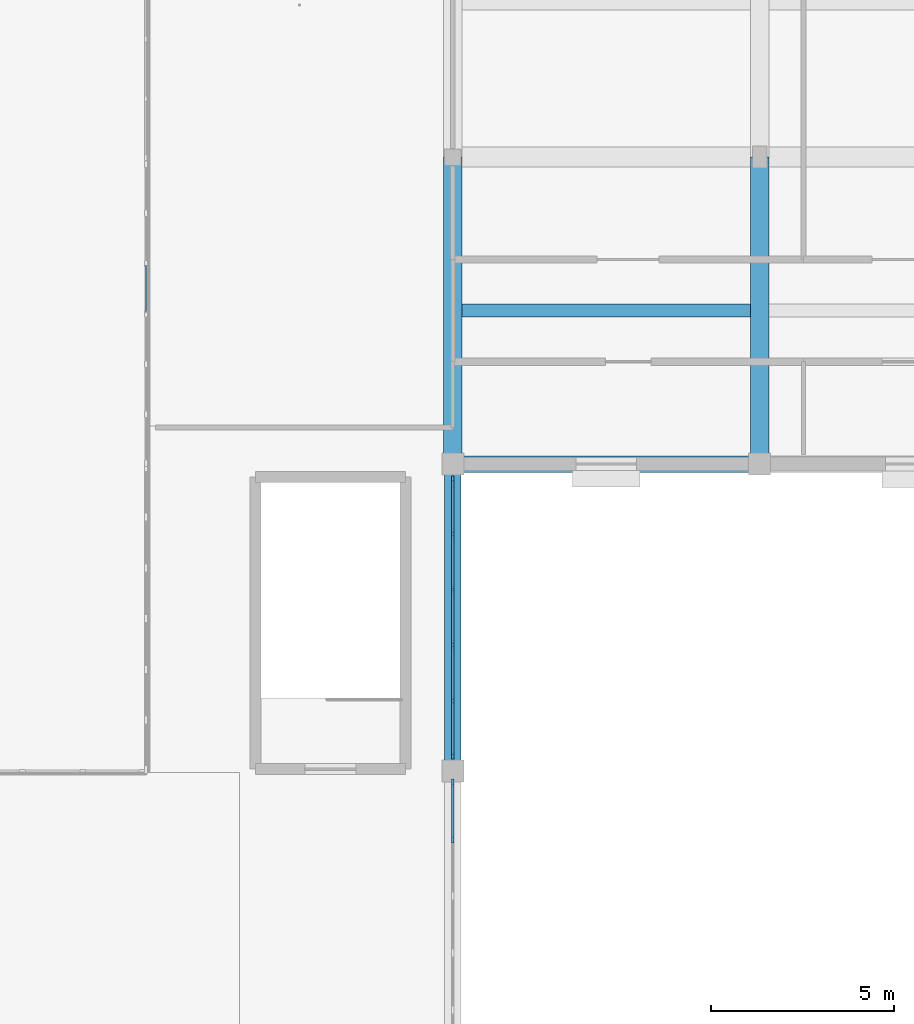
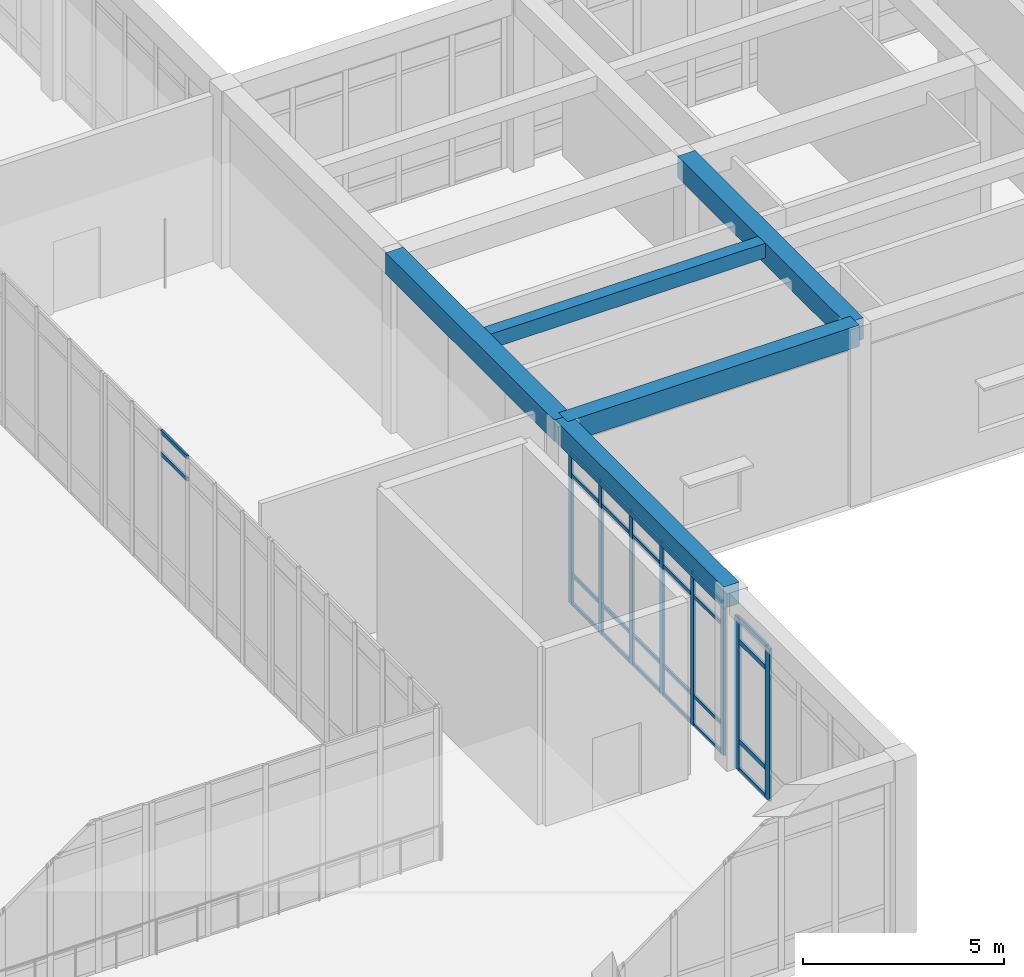
# One storey, part 22 of 157: 34 members, 5 beams, 3 elements without a shape of their own.
"""IFC4 building model written with IfcOpenShell, lengths in metres."""

from ifc_helpers import new_model, si_unit, direction, frame, origin, origin_2d, place, context, subcontext, project, spatial, rectangle, extrude, material, material_profile, profile_set, type_object, element, aggregate, save


model = new_model("IFC4")

# Units and contexts
model_context = context("Model", 3, precision=1e-05, world=origin(), true_north=direction((0.0, 1.0)))
body_context = subcontext(model_context, "Body", "Model", "MODEL_VIEW")
ifc_project = project(units=[si_unit("LENGTHUNIT", "METRE"), si_unit("AREAUNIT", "SQUARE_METRE"), si_unit("VOLUMEUNIT", "CUBIC_METRE"), si_unit("PLANEANGLEUNIT", "RADIAN"), si_unit("MASSUNIT", "GRAM", prefix="KILO")], contexts=[model_context])

# Site, building, storey
site_placement = place(None, origin())
site = spatial("IfcSite", under=ifc_project, at=site_placement, CompositionType="ELEMENT")
building_placement = place(site_placement, origin())
building = spatial("IfcBuilding", under=site, at=building_placement, Name="Varncliffe General Hospital", CompositionType="ELEMENT")
storey_placement = place(building_placement, frame((0.0, 0.0, 5.39990234375)))
storey = spatial("IfcBuildingStorey", under=building, at=storey_placement, Name="L01", CompositionType="ELEMENT", Elevation=5.39990234375)

# Beams
ifc_material_1 = material(Name="Concrete C35/45 (CSA A23.1 35 MPa)", Category="concrete")
ifc_material_profile_1 = material_profile(ifc_material_1, rectangle(XDim=0.5, YDim=0.64990234375, at=origin_2d()), Name="RC 500x650")
ifc_profile_set_1 = profile_set([ifc_material_profile_1], Name="Concrete C35/45 (CSA A23.1 35 MPa)")
beam_type_1 = type_object("IfcBeamType", Name="Beam B29 (Int RC 500x650)", PredefinedType="BEAM", material=ifc_profile_set_1)
for number, where, z_axis, x_axis, name in (
    (1, (117.60009765625, 24.0, 5.0751953125), (0.0, 1.0, 0.0), (-1.0, 0.0, 0.0), "L01 Primary Beam B29-419"),
    (2, (126.0, 24.0, 5.0751953125), (0.0, 1.0, 0.0), (-1.0, 0.0, 0.0), "L01 Primary Beam B29-433"),
):
    element("IfcBeam", number, at=place(storey_placement, frame(where, z_axis=z_axis, x_axis=x_axis)), inside=storey, type_object=beam_type_1, Name=name, PredefinedType="BEAM", context=body_context, shape_type="SweptSolid", body=[
        extrude(rectangle(XDim=0.5, YDim=0.64990234375, at=origin_2d()), origin(), (0.0, 0.0, 1.0), 8.39990234375),
    ])

# Curtain wall, members
ifc_material_2 = material(Name="Triple low-E argon insulated vision glazing", Category="glass")
curtain_wall_type_1 = type_object("IfcCurtainWallType", Name="Unitised Glazed Curtain Wall CW27 (7644x4640)", PredefinedType="USERDEFINED", material=ifc_material_2)
curtain_wall_1_placement = place(storey_placement, origin())
curtain_wall_1 = element("IfcCurtainWall", 3, at=curtain_wall_1_placement, inside=storey, type_object=curtain_wall_type_1, Name="L01 Glazed Curtain Wall CW27-44", ObjectType="GLAZED CURTAIN WALL", PredefinedType="USERDEFINED")
ifc_material_3 = material(Name="Dark bronze thermally broken aluminium framing", Category="aluminium")
ifc_material_profile_2 = material_profile(ifc_material_3, rectangle(XDim=0.06494140625, YDim=0.159912109375, at=origin_2d()), Name="ALU 65x160")
ifc_profile_set_2 = profile_set([ifc_material_profile_2], Name="Dark bronze thermally broken aluminium framing")
member_type_1 = type_object("IfcMemberType", Name="Curtain Wall Mullion CM65 (ALU 65x160)", PredefinedType="MULLION", material=ifc_profile_set_2)
member_1_placement = place(storey_placement, frame((117.60009765625, 23.589599609375, 0.0), z_axis=(0.0, 0.0, 1.0), x_axis=(1.0, 0.0, 0.0)))
member_1 = element("IfcMember", 4, at=member_1_placement, type_object=member_type_1, Name="CW27 mullion 1", PredefinedType="MULLION", context=body_context, shape_type="SweptSolid", body=[
    extrude(rectangle(XDim=0.06494140625, YDim=0.159912109375, at=origin_2d()), origin(), (0.0, 0.0, 1.0), 4.64013671875),
])
member_2_placement = place(storey_placement, frame((117.60009765625, 22.09326171875, 0.0), z_axis=(0.0, 0.0, 1.0), x_axis=(1.0, 0.0, 0.0)))
member_2 = element("IfcMember", 5, at=member_2_placement, type_object=member_type_1, Name="CW27 mullion 2", PredefinedType="MULLION", context=body_context, shape_type="SweptSolid", body=[
    extrude(rectangle(XDim=0.06494140625, YDim=0.159912109375, at=origin_2d()), origin(), (0.0, 0.0, 1.0), 4.64013671875),
])
member_3_placement = place(storey_placement, frame((117.60009765625, 20.564453125, 0.0), z_axis=(0.0, 0.0, 1.0), x_axis=(1.0, 0.0, 0.0)))
member_3 = element("IfcMember", 6, at=member_3_placement, type_object=member_type_1, Name="CW27 mullion 3", PredefinedType="MULLION", context=body_context, shape_type="SweptSolid", body=[
    extrude(rectangle(XDim=0.06494140625, YDim=0.159912109375, at=origin_2d()), origin(), (0.0, 0.0, 1.0), 4.64013671875),
])
member_4_placement = place(storey_placement, frame((117.60009765625, 19.03564453125, 0.0), z_axis=(0.0, 0.0, 1.0), x_axis=(1.0, 0.0, 0.0)))
member_4 = element("IfcMember", 7, at=member_4_placement, type_object=member_type_1, Name="CW27 mullion 4", PredefinedType="MULLION", context=body_context, shape_type="SweptSolid", body=[
    extrude(rectangle(XDim=0.06494140625, YDim=0.159912109375, at=origin_2d()), origin(), (0.0, 0.0, 1.0), 4.64013671875),
])
member_5_placement = place(storey_placement, frame((117.60009765625, 17.5068359375, 0.0), z_axis=(0.0, 0.0, 1.0), x_axis=(1.0, 0.0, 0.0)))
member_5 = element("IfcMember", 8, at=member_5_placement, type_object=member_type_1, Name="CW27 mullion 5", PredefinedType="MULLION", context=body_context, shape_type="SweptSolid", body=[
    extrude(rectangle(XDim=0.06494140625, YDim=0.159912109375, at=origin_2d()), origin(), (0.0, 0.0, 1.0), 4.64013671875),
])
member_6_placement = place(storey_placement, frame((117.60009765625, 16.010498046875, 0.0), z_axis=(0.0, 0.0, 1.0), x_axis=(1.0, 0.0, 0.0)))
member_6 = element("IfcMember", 9, at=member_6_placement, type_object=member_type_1, Name="CW27 mullion 6", PredefinedType="MULLION", context=body_context, shape_type="SweptSolid", body=[
    extrude(rectangle(XDim=0.06494140625, YDim=0.159912109375, at=origin_2d()), origin(), (0.0, 0.0, 1.0), 4.64013671875),
])

curtain_wall_type_2 = type_object("IfcCurtainWallType", Name="Unitised Glazed Curtain Wall CW85 (7804x4640)", PredefinedType="USERDEFINED", material=ifc_material_2)
curtain_wall_2_placement = place(storey_placement, origin())
curtain_wall_2 = element("IfcCurtainWall", 10, at=curtain_wall_2_placement, inside=storey, type_object=curtain_wall_type_2, Name="L01 Glazed Curtain Wall CW85-45", ObjectType="GLAZED CURTAIN WALL", PredefinedType="USERDEFINED")
ifc_material_profile_3 = material_profile(ifc_material_3, rectangle(XDim=0.074951171875, YDim=0.219970703125, at=origin_2d()), Name="ALU 75x220")
ifc_profile_set_3 = profile_set([ifc_material_profile_3], Name="Dark bronze thermally broken aluminium framing")
member_type_2 = type_object("IfcMemberType", Name="Curtain Wall Mullion CM74 (ALU 75x220)", PredefinedType="MULLION", material=ifc_profile_set_3)
member_7_placement = place(storey_placement, frame((117.60009765625, 15.264404296875, 0.0), z_axis=(0.0, 0.0, 1.0), x_axis=(1.0, 0.0, 0.0)))
member_7 = element("IfcMember", 11, at=member_7_placement, type_object=member_type_2, Name="CW85 mullion 1", PredefinedType="MULLION", context=body_context, shape_type="SweptSolid", body=[
    extrude(rectangle(XDim=0.074951171875, YDim=0.219970703125, at=origin_2d()), origin(), (0.0, 0.0, 1.0), 4.64013671875),
])
member_8_placement = place(storey_placement, frame((117.60009765625, 13.7412109375, 0.0), z_axis=(0.0, 0.0, 1.0), x_axis=(1.0, 0.0, 0.0)))
member_8 = element("IfcMember", 12, at=member_8_placement, type_object=member_type_2, Name="CW85 mullion 2", PredefinedType="MULLION", context=body_context, shape_type="SweptSolid", body=[
    extrude(rectangle(XDim=0.074951171875, YDim=0.219970703125, at=origin_2d()), origin(), (0.0, 0.0, 1.0), 4.64013671875),
])

curtain_wall_type_3 = type_object("IfcCurtainWallType", Name="Unitised Glazed Curtain Wall CW14 (8260x4640)", PredefinedType="USERDEFINED", material=ifc_material_2)
curtain_wall_3_placement = place(storey_placement, origin())
curtain_wall_3 = element("IfcCurtainWall", 13, at=curtain_wall_3_placement, inside=storey, type_object=curtain_wall_type_3, Name="L01 Glazed Curtain Wall CW14-97", ObjectType="GLAZED CURTAIN WALL", PredefinedType="USERDEFINED")
ifc_material_profile_4 = material_profile(ifc_material_3, rectangle(XDim=0.06005859375, YDim=0.1201171875, at=origin_2d()), Name="ALU 60x120")
ifc_profile_set_4 = profile_set([ifc_material_profile_4], Name="Dark bronze thermally broken aluminium framing")
member_type_3 = type_object("IfcMemberType", Name="Curtain Wall Transom CT14 (ALU 60x120)", PredefinedType="USERDEFINED", material=ifc_profile_set_4)
member_9_placement = place(storey_placement, frame((109.199951171875, 28.148193359375, 3.940185546875), z_axis=(0.0, 1.0, 0.0), x_axis=(-1.0, 0.0, 0.0)))
member_9 = element("IfcMember", 14, at=member_9_placement, type_object=member_type_3, Name="CW14 transom 4.3", ObjectType="TRANSOM", PredefinedType="USERDEFINED", context=body_context, shape_type="SweptSolid", body=[
    extrude(rectangle(XDim=0.06005859375, YDim=0.1201171875, at=origin_2d()), origin(), (0.0, 0.0, 1.0), 1.3017578125),
])
member_10_placement = place(storey_placement, frame((109.199951171875, 28.148193359375, 4.610107421875), z_axis=(0.0, 1.0, 0.0), x_axis=(-1.0, 0.0, 0.0)))
member_10 = element("IfcMember", 15, at=member_10_placement, type_object=member_type_3, Name="CW14 transom 4.4", ObjectType="TRANSOM", PredefinedType="USERDEFINED", context=body_context, shape_type="SweptSolid", body=[
    extrude(rectangle(XDim=0.06005859375, YDim=0.1201171875, at=origin_2d()), origin(), (0.0, 0.0, 1.0), 1.3017578125),
])
aggregate(curtain_wall_3, [member_9, member_10])

# Member
ifc_material_profile_5 = material_profile(ifc_material_3, rectangle(XDim=0.06005859375, YDim=0.10009765625, at=origin_2d()), Name="ALU 60x100")
ifc_profile_set_5 = profile_set([ifc_material_profile_5], Name="Dark bronze thermally broken aluminium framing")
member_type_4 = type_object("IfcMemberType", Name="Curtain Wall Transom CT18 (ALU 60x100)", PredefinedType="USERDEFINED", material=ifc_profile_set_5)
member_11_placement = place(storey_placement, frame((117.60009765625, 23.556884765625, 0.030029296875), z_axis=(0.0, -1.0, 0.0), x_axis=(1.0, 0.0, 0.0)))
member_11 = element("IfcMember", 16, at=member_11_placement, type_object=member_type_4, Name="CW27 transom 1.1", ObjectType="TRANSOM", PredefinedType="USERDEFINED", context=body_context, shape_type="SweptSolid", body=[
    extrude(rectangle(XDim=0.06005859375, YDim=0.10009765625, at=origin_2d()), origin(), (0.0, 0.0, 1.0), 1.43115234375),
])

member_12_placement = place(storey_placement, frame((117.60009765625, 23.556884765625, 0.900146484375), z_axis=(0.0, -1.0, 0.0), x_axis=(1.0, 0.0, 0.0)))
member_12 = element("IfcMember", 17, at=member_12_placement, type_object=member_type_4, Name="CW27 transom 1.2", ObjectType="TRANSOM", PredefinedType="USERDEFINED", context=body_context, shape_type="SweptSolid", body=[
    extrude(rectangle(XDim=0.06005859375, YDim=0.10009765625, at=origin_2d()), origin(), (0.0, 0.0, 1.0), 1.43115234375),
])

member_13_placement = place(storey_placement, frame((117.60009765625, 23.556884765625, 3.940185546875), z_axis=(0.0, -1.0, 0.0), x_axis=(1.0, 0.0, 0.0)))
member_13 = element("IfcMember", 18, at=member_13_placement, type_object=member_type_4, Name="CW27 transom 1.3", ObjectType="TRANSOM", PredefinedType="USERDEFINED", context=body_context, shape_type="SweptSolid", body=[
    extrude(rectangle(XDim=0.06005859375, YDim=0.10009765625, at=origin_2d()), origin(), (0.0, 0.0, 1.0), 1.43115234375),
])

member_14_placement = place(storey_placement, frame((117.60009765625, 23.556884765625, 4.610107421875), z_axis=(0.0, -1.0, 0.0), x_axis=(1.0, 0.0, 0.0)))
member_14 = element("IfcMember", 19, at=member_14_placement, type_object=member_type_4, Name="CW27 transom 1.4", ObjectType="TRANSOM", PredefinedType="USERDEFINED", context=body_context, shape_type="SweptSolid", body=[
    extrude(rectangle(XDim=0.06005859375, YDim=0.10009765625, at=origin_2d()), origin(), (0.0, 0.0, 1.0), 1.43115234375),
])

member_15_placement = place(storey_placement, frame((117.60009765625, 22.060791015625, 0.030029296875), z_axis=(0.0, -1.0, 0.0), x_axis=(1.0, 0.0, 0.0)))
member_15 = element("IfcMember", 20, at=member_15_placement, type_object=member_type_4, Name="CW27 transom 2.1", ObjectType="TRANSOM", PredefinedType="USERDEFINED", context=body_context, shape_type="SweptSolid", body=[
    extrude(rectangle(XDim=0.06005859375, YDim=0.10009765625, at=origin_2d()), origin(), (0.0, 0.0, 1.0), 1.4638671875),
])

member_16_placement = place(storey_placement, frame((117.60009765625, 22.060791015625, 0.900146484375), z_axis=(0.0, -1.0, 0.0), x_axis=(1.0, 0.0, 0.0)))
member_16 = element("IfcMember", 21, at=member_16_placement, type_object=member_type_4, Name="CW27 transom 2.2", ObjectType="TRANSOM", PredefinedType="USERDEFINED", context=body_context, shape_type="SweptSolid", body=[
    extrude(rectangle(XDim=0.06005859375, YDim=0.10009765625, at=origin_2d()), origin(), (0.0, 0.0, 1.0), 1.4638671875),
])

member_17_placement = place(storey_placement, frame((117.60009765625, 22.060791015625, 3.940185546875), z_axis=(0.0, -1.0, 0.0), x_axis=(1.0, 0.0, 0.0)))
member_17 = element("IfcMember", 22, at=member_17_placement, type_object=member_type_4, Name="CW27 transom 2.3", ObjectType="TRANSOM", PredefinedType="USERDEFINED", context=body_context, shape_type="SweptSolid", body=[
    extrude(rectangle(XDim=0.06005859375, YDim=0.10009765625, at=origin_2d()), origin(), (0.0, 0.0, 1.0), 1.4638671875),
])

member_18_placement = place(storey_placement, frame((117.60009765625, 22.060791015625, 4.610107421875), z_axis=(0.0, -1.0, 0.0), x_axis=(1.0, 0.0, 0.0)))
member_18 = element("IfcMember", 23, at=member_18_placement, type_object=member_type_4, Name="CW27 transom 2.4", ObjectType="TRANSOM", PredefinedType="USERDEFINED", context=body_context, shape_type="SweptSolid", body=[
    extrude(rectangle(XDim=0.06005859375, YDim=0.10009765625, at=origin_2d()), origin(), (0.0, 0.0, 1.0), 1.4638671875),
])

member_19_placement = place(storey_placement, frame((117.60009765625, 20.531982421875, 0.030029296875), z_axis=(0.0, -1.0, 0.0), x_axis=(1.0, 0.0, 0.0)))
member_19 = element("IfcMember", 24, at=member_19_placement, type_object=member_type_4, Name="CW27 transom 3.1", ObjectType="TRANSOM", PredefinedType="USERDEFINED", context=body_context, shape_type="SweptSolid", body=[
    extrude(rectangle(XDim=0.06005859375, YDim=0.10009765625, at=origin_2d()), origin(), (0.0, 0.0, 1.0), 1.4638671875),
])

member_20_placement = place(storey_placement, frame((117.60009765625, 20.531982421875, 0.900146484375), z_axis=(0.0, -1.0, 0.0), x_axis=(1.0, 0.0, 0.0)))
member_20 = element("IfcMember", 25, at=member_20_placement, type_object=member_type_4, Name="CW27 transom 3.2", ObjectType="TRANSOM", PredefinedType="USERDEFINED", context=body_context, shape_type="SweptSolid", body=[
    extrude(rectangle(XDim=0.06005859375, YDim=0.10009765625, at=origin_2d()), origin(), (0.0, 0.0, 1.0), 1.4638671875),
])

member_21_placement = place(storey_placement, frame((117.60009765625, 20.531982421875, 3.940185546875), z_axis=(0.0, -1.0, 0.0), x_axis=(1.0, 0.0, 0.0)))
member_21 = element("IfcMember", 26, at=member_21_placement, type_object=member_type_4, Name="CW27 transom 3.3", ObjectType="TRANSOM", PredefinedType="USERDEFINED", context=body_context, shape_type="SweptSolid", body=[
    extrude(rectangle(XDim=0.06005859375, YDim=0.10009765625, at=origin_2d()), origin(), (0.0, 0.0, 1.0), 1.4638671875),
])

member_22_placement = place(storey_placement, frame((117.60009765625, 20.531982421875, 4.610107421875), z_axis=(0.0, -1.0, 0.0), x_axis=(1.0, 0.0, 0.0)))
member_22 = element("IfcMember", 27, at=member_22_placement, type_object=member_type_4, Name="CW27 transom 3.4", ObjectType="TRANSOM", PredefinedType="USERDEFINED", context=body_context, shape_type="SweptSolid", body=[
    extrude(rectangle(XDim=0.06005859375, YDim=0.10009765625, at=origin_2d()), origin(), (0.0, 0.0, 1.0), 1.4638671875),
])

member_23_placement = place(storey_placement, frame((117.60009765625, 19.003173828125, 0.030029296875), z_axis=(0.0, -1.0, 0.0), x_axis=(1.0, 0.0, 0.0)))
member_23 = element("IfcMember", 28, at=member_23_placement, type_object=member_type_4, Name="CW27 transom 4.1", ObjectType="TRANSOM", PredefinedType="USERDEFINED", context=body_context, shape_type="SweptSolid", body=[
    extrude(rectangle(XDim=0.06005859375, YDim=0.10009765625, at=origin_2d()), origin(), (0.0, 0.0, 1.0), 1.4638671875),
])

member_24_placement = place(storey_placement, frame((117.60009765625, 19.003173828125, 0.900146484375), z_axis=(0.0, -1.0, 0.0), x_axis=(1.0, 0.0, 0.0)))
member_24 = element("IfcMember", 29, at=member_24_placement, type_object=member_type_4, Name="CW27 transom 4.2", ObjectType="TRANSOM", PredefinedType="USERDEFINED", context=body_context, shape_type="SweptSolid", body=[
    extrude(rectangle(XDim=0.06005859375, YDim=0.10009765625, at=origin_2d()), origin(), (0.0, 0.0, 1.0), 1.4638671875),
])

member_25_placement = place(storey_placement, frame((117.60009765625, 19.003173828125, 3.940185546875), z_axis=(0.0, -1.0, 0.0), x_axis=(1.0, 0.0, 0.0)))
member_25 = element("IfcMember", 30, at=member_25_placement, type_object=member_type_4, Name="CW27 transom 4.3", ObjectType="TRANSOM", PredefinedType="USERDEFINED", context=body_context, shape_type="SweptSolid", body=[
    extrude(rectangle(XDim=0.06005859375, YDim=0.10009765625, at=origin_2d()), origin(), (0.0, 0.0, 1.0), 1.4638671875),
])

member_26_placement = place(storey_placement, frame((117.60009765625, 19.003173828125, 4.610107421875), z_axis=(0.0, -1.0, 0.0), x_axis=(1.0, 0.0, 0.0)))
member_26 = element("IfcMember", 31, at=member_26_placement, type_object=member_type_4, Name="CW27 transom 4.4", ObjectType="TRANSOM", PredefinedType="USERDEFINED", context=body_context, shape_type="SweptSolid", body=[
    extrude(rectangle(XDim=0.06005859375, YDim=0.10009765625, at=origin_2d()), origin(), (0.0, 0.0, 1.0), 1.4638671875),
])

member_27_placement = place(storey_placement, frame((117.60009765625, 17.474365234375, 0.030029296875), z_axis=(0.0, -1.0, 0.0), x_axis=(1.0, 0.0, 0.0)))
member_27 = element("IfcMember", 32, at=member_27_placement, type_object=member_type_4, Name="CW27 transom 5.1", ObjectType="TRANSOM", PredefinedType="USERDEFINED", context=body_context, shape_type="SweptSolid", body=[
    extrude(rectangle(XDim=0.06005859375, YDim=0.10009765625, at=origin_2d()), origin(), (0.0, 0.0, 1.0), 1.431396484375),
])

member_28_placement = place(storey_placement, frame((117.60009765625, 17.474365234375, 0.900146484375), z_axis=(0.0, -1.0, 0.0), x_axis=(1.0, 0.0, 0.0)))
member_28 = element("IfcMember", 33, at=member_28_placement, type_object=member_type_4, Name="CW27 transom 5.2", ObjectType="TRANSOM", PredefinedType="USERDEFINED", context=body_context, shape_type="SweptSolid", body=[
    extrude(rectangle(XDim=0.06005859375, YDim=0.10009765625, at=origin_2d()), origin(), (0.0, 0.0, 1.0), 1.431396484375),
])

member_29_placement = place(storey_placement, frame((117.60009765625, 17.474365234375, 3.940185546875), z_axis=(0.0, -1.0, 0.0), x_axis=(1.0, 0.0, 0.0)))
member_29 = element("IfcMember", 34, at=member_29_placement, type_object=member_type_4, Name="CW27 transom 5.3", ObjectType="TRANSOM", PredefinedType="USERDEFINED", context=body_context, shape_type="SweptSolid", body=[
    extrude(rectangle(XDim=0.06005859375, YDim=0.10009765625, at=origin_2d()), origin(), (0.0, 0.0, 1.0), 1.431396484375),
])

member_30_placement = place(storey_placement, frame((117.60009765625, 17.474365234375, 4.610107421875), z_axis=(0.0, -1.0, 0.0), x_axis=(1.0, 0.0, 0.0)))
member_30 = element("IfcMember", 35, at=member_30_placement, type_object=member_type_4, Name="CW27 transom 5.4", ObjectType="TRANSOM", PredefinedType="USERDEFINED", context=body_context, shape_type="SweptSolid", body=[
    extrude(rectangle(XDim=0.06005859375, YDim=0.10009765625, at=origin_2d()), origin(), (0.0, 0.0, 1.0), 1.431396484375),
])

aggregate(curtain_wall_1, [member_1, member_2, member_3, member_4, member_5, member_6, member_11, member_12, member_13, member_14, member_15, member_16, member_17, member_18, member_19, member_20, member_21, member_22, member_23, member_24, member_25, member_26, member_27, member_28, member_29, member_30])

ifc_material_profile_6 = material_profile(ifc_material_3, rectangle(XDim=0.06494140625, YDim=0.139892578125, at=origin_2d()), Name="ALU 65x140")
ifc_profile_set_6 = profile_set([ifc_material_profile_6], Name="Dark bronze thermally broken aluminium framing")
member_type_5 = type_object("IfcMemberType", Name="Curtain Wall Transom CT69 (ALU 65x140)", PredefinedType="USERDEFINED", material=ifc_profile_set_6)
member_31_placement = place(storey_placement, frame((117.60009765625, 15.22705078125, 0.03271484375), z_axis=(0.0, -1.0, 0.0), x_axis=(1.0, 0.0, 0.0)))
member_31 = element("IfcMember", 36, at=member_31_placement, type_object=member_type_5, Name="CW85 transom 1.1", ObjectType="TRANSOM", PredefinedType="USERDEFINED", context=body_context, shape_type="SweptSolid", body=[
    extrude(rectangle(XDim=0.06494140625, YDim=0.139892578125, at=origin_2d()), origin(), (0.0, 0.0, 1.0), 1.4482421875),
])

member_32_placement = place(storey_placement, frame((117.60009765625, 15.22705078125, 0.900146484375), z_axis=(0.0, -1.0, 0.0), x_axis=(1.0, 0.0, 0.0)))
member_32 = element("IfcMember", 37, at=member_32_placement, type_object=member_type_5, Name="CW85 transom 1.2", ObjectType="TRANSOM", PredefinedType="USERDEFINED", context=body_context, shape_type="SweptSolid", body=[
    extrude(rectangle(XDim=0.06494140625, YDim=0.139892578125, at=origin_2d()), origin(), (0.0, 0.0, 1.0), 1.4482421875),
])

member_33_placement = place(storey_placement, frame((117.60009765625, 15.22705078125, 3.940185546875), z_axis=(0.0, -1.0, 0.0), x_axis=(1.0, 0.0, 0.0)))
member_33 = element("IfcMember", 38, at=member_33_placement, type_object=member_type_5, Name="CW85 transom 1.3", ObjectType="TRANSOM", PredefinedType="USERDEFINED", context=body_context, shape_type="SweptSolid", body=[
    extrude(rectangle(XDim=0.06494140625, YDim=0.139892578125, at=origin_2d()), origin(), (0.0, 0.0, 1.0), 1.4482421875),
])

member_34_placement = place(storey_placement, frame((117.60009765625, 15.22705078125, 4.607666015625), z_axis=(0.0, -1.0, 0.0), x_axis=(1.0, 0.0, 0.0)))
member_34 = element("IfcMember", 39, at=member_34_placement, type_object=member_type_5, Name="CW85 transom 1.4", ObjectType="TRANSOM", PredefinedType="USERDEFINED", context=body_context, shape_type="SweptSolid", body=[
    extrude(rectangle(XDim=0.06494140625, YDim=0.139892578125, at=origin_2d()), origin(), (0.0, 0.0, 1.0), 1.4482421875),
])

aggregate(curtain_wall_2, [member_7, member_8, member_31, member_32, member_33, member_34])

# Beams
ifc_material_profile_7 = material_profile(ifc_material_1, rectangle(XDim=0.35009765625, YDim=0.449951171875, at=origin_2d()), Name="RC 350x450")
ifc_profile_set_7 = profile_set([ifc_material_profile_7], Name="Concrete C35/45 (CSA A23.1 35 MPa)")
beam_type_2 = type_object("IfcBeamType", Name="Joist J55 (Int RC 350x450)", PredefinedType="JOIST", material=ifc_profile_set_7)
beam_placement = place(storey_placement, frame((117.847900390625, 28.199951171875, 5.175048828125), z_axis=(1.0, 0.0, 0.0), x_axis=(0.0, 1.0, 0.0)))
element("IfcBeam", 40, at=beam_placement, inside=storey, type_object=beam_type_2, Name="L01 Secondary Floor Rib J55-58", PredefinedType="JOIST", context=body_context, shape_type="SweptSolid", body=[
    extrude(rectangle(XDim=0.35009765625, YDim=0.449951171875, at=origin_2d()), origin(), (0.0, 0.0, 1.0), 7.904052734375),
])
ifc_material_profile_8 = material_profile(ifc_material_1, rectangle(XDim=0.449951171875, YDim=0.64990234375, at=origin_2d()), Name="RC 450x650")
ifc_profile_set_8 = profile_set([ifc_material_profile_8], Name="Concrete C35/45 (CSA A23.1 35 MPa)")
beam_type_3 = type_object("IfcBeamType", Name="Spandrel SP38 (Ext RC 450x650B)", PredefinedType="SPANDREL", material=ifc_profile_set_8)
for number, where, z_axis, x_axis, name in (
    (41, (117.60009765625, 24.0, 5.0751953125), (1.0, 0.0, 0.0), (0.0, 1.0, 0.0), "L01 Spandrel Beam SP38-33"),
    (42, (117.60009765625, 15.60009765625, 5.0751953125), (0.0, 1.0, 0.0), (-1.0, 0.0, 0.0), "L01 Spandrel Beam SP38-418"),
):
    element("IfcBeam", number, at=place(storey_placement, frame(where, z_axis=z_axis, x_axis=x_axis)), inside=storey, type_object=beam_type_3, Name=name, PredefinedType="SPANDREL", context=body_context, shape_type="SweptSolid", body=[
        extrude(rectangle(XDim=0.449951171875, YDim=0.64990234375, at=origin_2d()), origin(), (0.0, 0.0, 1.0), 8.39990234375),
    ])

save(model, "model.ifc")
